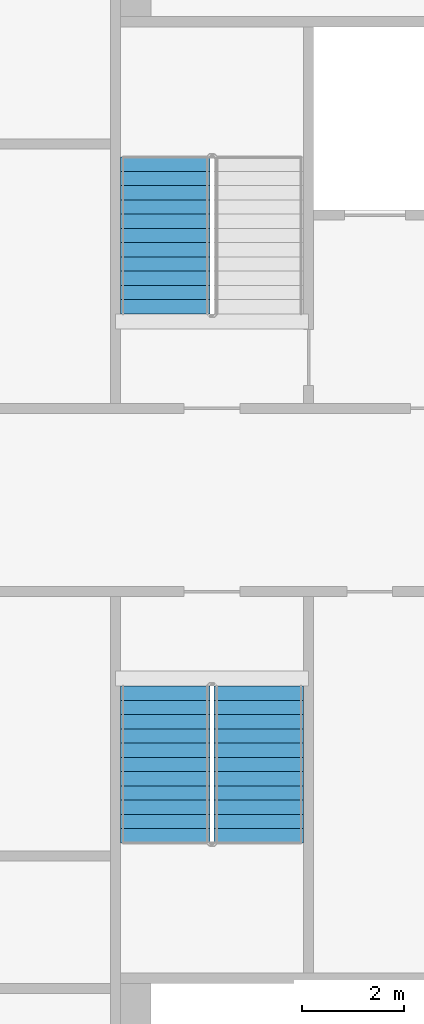
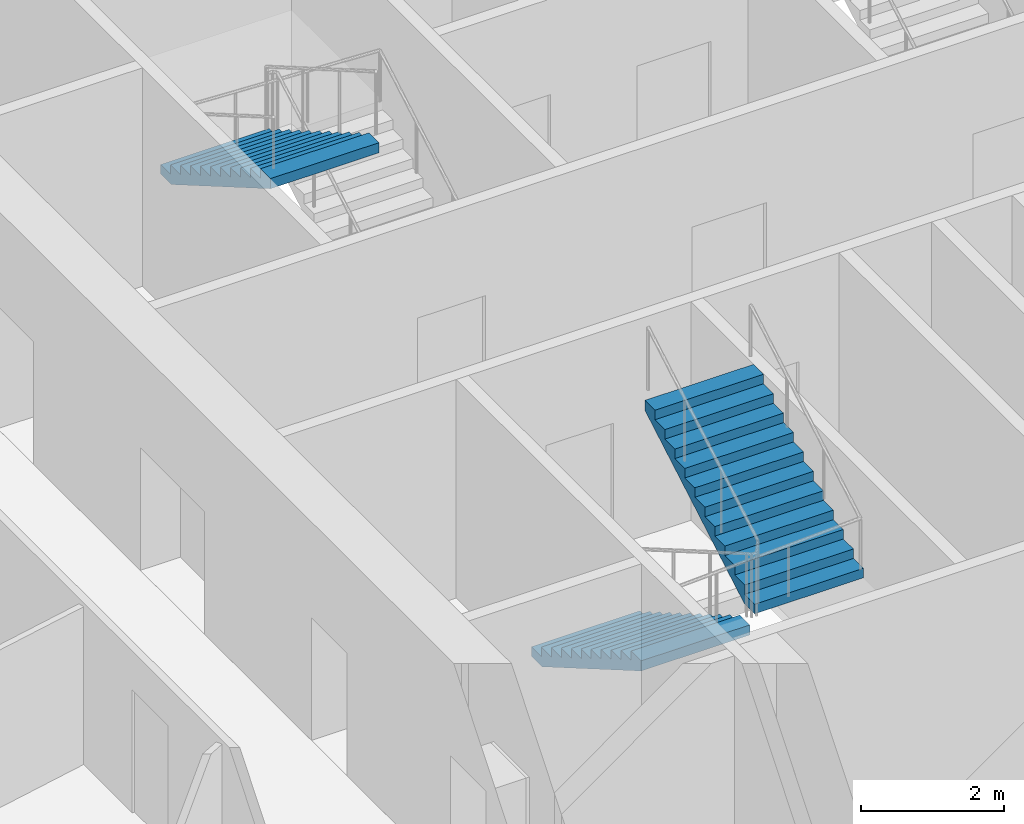
# One storey, part 17 of 24: 3 stair flights, 2 elements without a shape of their own.
"""IFC4 building model written with IfcOpenShell, lengths in metres."""

from ifc_helpers import new_model, si_unit, direction, frame, origin, place, context, subcontext, project, spatial, faceted_brep, material, type_object, element, aggregate, save


model = new_model("IFC4")

# Units and contexts
model_context = context("Model", 3, precision=1e-05, world=origin(), true_north=direction((0.0, 1.0)))
body_context = subcontext(model_context, "Body", "Model", "MODEL_VIEW")
ifc_project = project(units=[si_unit("LENGTHUNIT", "METRE"), si_unit("AREAUNIT", "SQUARE_METRE"), si_unit("VOLUMEUNIT", "CUBIC_METRE"), si_unit("PLANEANGLEUNIT", "RADIAN"), si_unit("MASSUNIT", "GRAM", prefix="KILO")], contexts=[model_context])

# Site, building, storey
site_placement = place(None, origin())
site = spatial("IfcSite", under=ifc_project, at=site_placement, CompositionType="ELEMENT")
building_placement = place(site_placement, origin())
building = spatial("IfcBuilding", under=site, at=building_placement, Name="Tarsis Ring Headquarters", CompositionType="ELEMENT")
storey_placement = place(building_placement, frame((0.0, 0.0, 178.800048828125)))
storey = spatial("IfcBuildingStorey", under=building, at=storey_placement, Name="L41", CompositionType="ELEMENT", Elevation=178.800048828125)

# Stair, stair flight
ifc_material_1 = material(Name="Core stair 1760")
stair_type = type_object("IfcStairType", Name="Core stair 1760", PredefinedType="HALF_TURN_STAIR", material=ifc_material_1)
stair_1_placement = place(storey_placement, origin())
stair_1 = element("IfcStair", 1, at=stair_1_placement, inside=storey, type_object=stair_type, Name="L41 Firefighting stair", PredefinedType="HALF_TURN_STAIR")
ifc_material_2 = material(Name="Concrete C40/50", Category="concrete")
stair_flight_type = type_object("IfcStairFlightType", Name="Core stair flight 1760", PredefinedType="STRAIGHT", material=ifc_material_2)
stair_flight_1_placement = place(storey_placement, frame((-5.419921875, 6.739990234375, 1.949951171875), z_axis=(0.0, 0.0, 1.0), x_axis=(0.0, -1.0, 0.0)))
stair_flight_1 = element("IfcStairFlight", 2, at=stair_flight_1_placement, type_object=stair_flight_type, Name="Stair ST1 flight 2", NumberOfRisers=12, NumberOfTreads=11, PredefinedType="STRAIGHT", RiserHeight=0.1625, TreadLength=0.28, context=body_context, shape_type="Brep", body=[
    faceted_brep([(0.0, 0.8798828125, 0.0), (0.0, 0.8798828125, 0.16259765625), (0.280029296875, 0.8798828125, 0.16259765625), (0.280029296875, 0.8798828125, 0.324951171875), (0.56005859375, 0.8798828125, 0.324951171875), (0.56005859375, 0.8798828125, 0.487548828125), (0.840087890625, 0.8798828125, 0.487548828125), (0.840087890625, 0.8798828125, 0.64990234375), (1.1201171875, 0.8798828125, 0.64990234375), (1.1201171875, 0.8798828125, 0.8125), (1.39990234375, 0.8798828125, 0.8125), (1.39990234375, 0.8798828125, 0.97509765625), (1.679931640625, 0.8798828125, 0.97509765625), (1.679931640625, 0.8798828125, 1.137451171875), (1.9599609375, 0.8798828125, 1.137451171875), (1.9599609375, 0.8798828125, 1.300048828125), (2.239990234375, 0.8798828125, 1.300048828125), (2.239990234375, 0.8798828125, 1.46240234375), (2.52001953125, 0.8798828125, 1.46240234375), (2.52001953125, 0.8798828125, 1.625), (2.800048828125, 0.8798828125, 1.625), (2.800048828125, 0.8798828125, 1.78759765625), (3.080078125, 0.8798828125, 1.78759765625), (3.080078125, 0.8798828125, 1.6142578125), (0.298583984375, 0.8798828125, 0.0), (0.298583984375, -0.8798828125, 0.0), (3.080078125, -0.8798828125, 1.6142578125), (3.080078125, -0.8798828125, 1.78759765625), (2.800048828125, -0.8798828125, 1.78759765625), (2.800048828125, -0.8798828125, 1.625), (2.52001953125, -0.8798828125, 1.625), (2.52001953125, -0.8798828125, 1.46240234375), (2.239990234375, -0.8798828125, 1.46240234375), (2.239990234375, -0.8798828125, 1.300048828125), (1.9599609375, -0.8798828125, 1.300048828125), (1.9599609375, -0.8798828125, 1.137451171875), (1.679931640625, -0.8798828125, 1.137451171875), (1.679931640625, -0.8798828125, 0.97509765625), (1.39990234375, -0.8798828125, 0.97509765625), (1.39990234375, -0.8798828125, 0.8125), (1.1201171875, -0.8798828125, 0.8125), (1.1201171875, -0.8798828125, 0.64990234375), (0.840087890625, -0.8798828125, 0.64990234375), (0.840087890625, -0.8798828125, 0.487548828125), (0.56005859375, -0.8798828125, 0.487548828125), (0.56005859375, -0.8798828125, 0.324951171875), (0.280029296875, -0.8798828125, 0.324951171875), (0.280029296875, -0.8798828125, 0.16259765625), (0.0, -0.8798828125, 0.16259765625), (0.0, -0.8798828125, 0.0), (0.0, -0.43994140625, 0.16259765625), (0.0, -0.43994140625, 0.0), (0.0, 0.0, 0.16259765625), (0.0, 0.0, 0.0), (0.0, 0.43994140625, 0.16259765625), (0.0, 0.43994140625, 0.0), (0.280029296875, -0.43994140625, 0.16259765625), (0.280029296875, 0.0, 0.16259765625), (0.280029296875, 0.43994140625, 0.16259765625), (0.280029296875, -0.43994140625, 0.324951171875), (0.280029296875, 0.0, 0.324951171875), (0.280029296875, 0.43994140625, 0.324951171875), (0.56005859375, -0.43994140625, 0.324951171875), (0.56005859375, 0.0, 0.324951171875), (0.56005859375, 0.43994140625, 0.324951171875), (0.56005859375, -0.43994140625, 0.487548828125), (0.56005859375, 0.0, 0.487548828125), (0.56005859375, 0.43994140625, 0.487548828125), (0.840087890625, -0.43994140625, 0.487548828125), (0.840087890625, 0.0, 0.487548828125), (0.840087890625, 0.43994140625, 0.487548828125), (0.840087890625, -0.43994140625, 0.64990234375), (0.840087890625, 0.0, 0.64990234375), (0.840087890625, 0.43994140625, 0.64990234375), (1.1201171875, -0.43994140625, 0.64990234375), (1.1201171875, 0.0, 0.64990234375), (1.1201171875, 0.43994140625, 0.64990234375), (1.1201171875, -0.43994140625, 0.8125), (1.1201171875, 0.0, 0.8125), (1.1201171875, 0.43994140625, 0.8125), (1.39990234375, -0.43994140625, 0.8125), (1.39990234375, 0.0, 0.8125), (1.39990234375, 0.43994140625, 0.8125), (1.39990234375, -0.43994140625, 0.97509765625), (1.39990234375, 0.0, 0.97509765625), (1.39990234375, 0.43994140625, 0.97509765625), (1.679931640625, -0.43994140625, 0.97509765625), (1.679931640625, 0.0, 0.97509765625), (1.679931640625, 0.43994140625, 0.97509765625), (1.679931640625, -0.43994140625, 1.137451171875), (1.679931640625, 0.0, 1.137451171875), (1.679931640625, 0.43994140625, 1.137451171875), (1.9599609375, -0.43994140625, 1.137451171875), (1.9599609375, 0.0, 1.137451171875), (1.9599609375, 0.43994140625, 1.137451171875), (1.9599609375, -0.43994140625, 1.300048828125), (1.9599609375, 0.0, 1.300048828125), (1.9599609375, 0.43994140625, 1.300048828125), (2.239990234375, -0.43994140625, 1.300048828125), (2.239990234375, 0.0, 1.300048828125), (2.239990234375, 0.43994140625, 1.300048828125), (2.239990234375, -0.43994140625, 1.46240234375), (2.239990234375, 0.0, 1.46240234375), (2.239990234375, 0.43994140625, 1.46240234375), (2.52001953125, -0.43994140625, 1.46240234375), (2.52001953125, 0.0, 1.46240234375), (2.52001953125, 0.43994140625, 1.46240234375), (2.52001953125, -0.43994140625, 1.625), (2.52001953125, 0.0, 1.625), (2.52001953125, 0.43994140625, 1.625), (2.800048828125, -0.43994140625, 1.625), (2.800048828125, 0.0, 1.625), (2.800048828125, 0.43994140625, 1.625), (2.800048828125, -0.43994140625, 1.78759765625), (2.800048828125, 0.0, 1.78759765625), (2.800048828125, 0.43994140625, 1.78759765625), (3.080078125, -0.43994140625, 1.78759765625), (3.080078125, 0.0, 1.78759765625), (3.080078125, 0.43994140625, 1.78759765625), (3.080078125, -0.43994140625, 1.6142578125), (3.080078125, 0.0, 1.6142578125), (3.080078125, 0.43994140625, 1.6142578125), (0.298583984375, -0.43994140625, 0.0), (0.298583984375, 0.0, 0.0), (0.298583984375, 0.43994140625, 0.0)], [[[0, 1, 2, 3, 4, 5, 6, 7, 8, 9, 10, 11, 12, 13, 14, 15, 16, 17, 18, 19, 20, 21, 22, 23, 24]], [[25, 26, 27, 28, 29, 30, 31, 32, 33, 34, 35, 36, 37, 38, 39, 40, 41, 42, 43, 44, 45, 46, 47, 48, 49]], [[49, 48, 50, 51]], [[51, 50, 52, 53]], [[53, 52, 54, 55]], [[55, 54, 1, 0]], [[48, 47, 56, 50]], [[50, 56, 57, 52]], [[52, 57, 58, 54]], [[54, 58, 2, 1]], [[47, 46, 59, 56]], [[56, 59, 60, 57]], [[57, 60, 61, 58]], [[58, 61, 3, 2]], [[46, 45, 62, 59]], [[59, 62, 63, 60]], [[60, 63, 64, 61]], [[61, 64, 4, 3]], [[45, 44, 65, 62]], [[62, 65, 66, 63]], [[63, 66, 67, 64]], [[64, 67, 5, 4]], [[44, 43, 68, 65]], [[65, 68, 69, 66]], [[66, 69, 70, 67]], [[67, 70, 6, 5]], [[43, 42, 71, 68]], [[68, 71, 72, 69]], [[69, 72, 73, 70]], [[70, 73, 7, 6]], [[42, 41, 74, 71]], [[71, 74, 75, 72]], [[72, 75, 76, 73]], [[73, 76, 8, 7]], [[41, 40, 77, 74]], [[74, 77, 78, 75]], [[75, 78, 79, 76]], [[76, 79, 9, 8]], [[40, 39, 80, 77]], [[77, 80, 81, 78]], [[78, 81, 82, 79]], [[79, 82, 10, 9]], [[39, 38, 83, 80]], [[80, 83, 84, 81]], [[81, 84, 85, 82]], [[82, 85, 11, 10]], [[38, 37, 86, 83]], [[83, 86, 87, 84]], [[84, 87, 88, 85]], [[85, 88, 12, 11]], [[37, 36, 89, 86]], [[86, 89, 90, 87]], [[87, 90, 91, 88]], [[88, 91, 13, 12]], [[36, 35, 92, 89]], [[89, 92, 93, 90]], [[90, 93, 94, 91]], [[91, 94, 14, 13]], [[35, 34, 95, 92]], [[92, 95, 96, 93]], [[93, 96, 97, 94]], [[94, 97, 15, 14]], [[34, 33, 98, 95]], [[95, 98, 99, 96]], [[96, 99, 100, 97]], [[97, 100, 16, 15]], [[33, 32, 101, 98]], [[98, 101, 102, 99]], [[99, 102, 103, 100]], [[100, 103, 17, 16]], [[32, 31, 104, 101]], [[101, 104, 105, 102]], [[102, 105, 106, 103]], [[103, 106, 18, 17]], [[31, 30, 107, 104]], [[104, 107, 108, 105]], [[105, 108, 109, 106]], [[106, 109, 19, 18]], [[30, 29, 110, 107]], [[107, 110, 111, 108]], [[108, 111, 112, 109]], [[109, 112, 20, 19]], [[29, 28, 113, 110]], [[110, 113, 114, 111]], [[111, 114, 115, 112]], [[112, 115, 21, 20]], [[28, 27, 116, 113]], [[113, 116, 117, 114]], [[114, 117, 118, 115]], [[115, 118, 22, 21]], [[27, 26, 119, 116]], [[116, 119, 120, 117]], [[117, 120, 121, 118]], [[118, 121, 23, 22]], [[26, 25, 122, 119]], [[119, 122, 123, 120]], [[120, 123, 124, 121]], [[121, 124, 24, 23]], [[25, 49, 51, 122]], [[122, 51, 53, 123]], [[123, 53, 55, 124]], [[124, 55, 0, 24]]]),
])
aggregate(stair_1, [stair_flight_1])

# Stair, stair flights
stair_2_placement = place(storey_placement, origin())
stair_2 = element("IfcStair", 3, at=stair_2_placement, inside=storey, type_object=stair_type, Name="L41 Exit stair C", PredefinedType="HALF_TURN_STAIR")
stair_flight_2_placement = place(storey_placement, frame((-5.419921875, -3.659912109375, 0.0), z_axis=(0.0, 0.0, 1.0), x_axis=(0.0, -1.0, 0.0)))
stair_flight_2 = element("IfcStairFlight", 4, at=stair_flight_2_placement, type_object=stair_flight_type, Name="Stair ST3 flight 1", NumberOfRisers=12, NumberOfTreads=11, PredefinedType="STRAIGHT", RiserHeight=0.1625, TreadLength=0.28, context=body_context, shape_type="Brep", body=[
    faceted_brep([(0.0, 0.8798828125, 0.0), (0.0, 0.8798828125, 0.16259765625), (0.280029296875, 0.8798828125, 0.16259765625), (0.280029296875, 0.8798828125, 0.324951171875), (0.56005859375, 0.8798828125, 0.324951171875), (0.56005859375, 0.8798828125, 0.487548828125), (0.840087890625, 0.8798828125, 0.487548828125), (0.840087890625, 0.8798828125, 0.64990234375), (1.1201171875, 0.8798828125, 0.64990234375), (1.1201171875, 0.8798828125, 0.8125), (1.39990234375, 0.8798828125, 0.8125), (1.39990234375, 0.8798828125, 0.97509765625), (1.679931640625, 0.8798828125, 0.97509765625), (1.679931640625, 0.8798828125, 1.137451171875), (1.9599609375, 0.8798828125, 1.137451171875), (1.9599609375, 0.8798828125, 1.300048828125), (2.239990234375, 0.8798828125, 1.300048828125), (2.239990234375, 0.8798828125, 1.46240234375), (2.52001953125, 0.8798828125, 1.46240234375), (2.52001953125, 0.8798828125, 1.625), (2.800048828125, 0.8798828125, 1.625), (2.800048828125, 0.8798828125, 1.78759765625), (3.080078125, 0.8798828125, 1.78759765625), (3.080078125, 0.8798828125, 1.6142578125), (0.298583984375, 0.8798828125, 0.0), (0.298583984375, -0.8798828125, 0.0), (3.080078125, -0.8798828125, 1.6142578125), (3.080078125, -0.8798828125, 1.78759765625), (2.800048828125, -0.8798828125, 1.78759765625), (2.800048828125, -0.8798828125, 1.625), (2.52001953125, -0.8798828125, 1.625), (2.52001953125, -0.8798828125, 1.46240234375), (2.239990234375, -0.8798828125, 1.46240234375), (2.239990234375, -0.8798828125, 1.300048828125), (1.9599609375, -0.8798828125, 1.300048828125), (1.9599609375, -0.8798828125, 1.137451171875), (1.679931640625, -0.8798828125, 1.137451171875), (1.679931640625, -0.8798828125, 0.97509765625), (1.39990234375, -0.8798828125, 0.97509765625), (1.39990234375, -0.8798828125, 0.8125), (1.1201171875, -0.8798828125, 0.8125), (1.1201171875, -0.8798828125, 0.64990234375), (0.840087890625, -0.8798828125, 0.64990234375), (0.840087890625, -0.8798828125, 0.487548828125), (0.56005859375, -0.8798828125, 0.487548828125), (0.56005859375, -0.8798828125, 0.324951171875), (0.280029296875, -0.8798828125, 0.324951171875), (0.280029296875, -0.8798828125, 0.16259765625), (0.0, -0.8798828125, 0.16259765625), (0.0, -0.8798828125, 0.0), (0.0, -0.43994140625, 0.16259765625), (0.0, -0.43994140625, 0.0), (0.0, 0.0, 0.16259765625), (0.0, 0.0, 0.0), (0.0, 0.43994140625, 0.16259765625), (0.0, 0.43994140625, 0.0), (0.280029296875, -0.43994140625, 0.16259765625), (0.280029296875, 0.0, 0.16259765625), (0.280029296875, 0.43994140625, 0.16259765625), (0.280029296875, -0.43994140625, 0.324951171875), (0.280029296875, 0.0, 0.324951171875), (0.280029296875, 0.43994140625, 0.324951171875), (0.56005859375, -0.43994140625, 0.324951171875), (0.56005859375, 0.0, 0.324951171875), (0.56005859375, 0.43994140625, 0.324951171875), (0.56005859375, -0.43994140625, 0.487548828125), (0.56005859375, 0.0, 0.487548828125), (0.56005859375, 0.43994140625, 0.487548828125), (0.840087890625, -0.43994140625, 0.487548828125), (0.840087890625, 0.0, 0.487548828125), (0.840087890625, 0.43994140625, 0.487548828125), (0.840087890625, -0.43994140625, 0.64990234375), (0.840087890625, 0.0, 0.64990234375), (0.840087890625, 0.43994140625, 0.64990234375), (1.1201171875, -0.43994140625, 0.64990234375), (1.1201171875, 0.0, 0.64990234375), (1.1201171875, 0.43994140625, 0.64990234375), (1.1201171875, -0.43994140625, 0.8125), (1.1201171875, 0.0, 0.8125), (1.1201171875, 0.43994140625, 0.8125), (1.39990234375, -0.43994140625, 0.8125), (1.39990234375, 0.0, 0.8125), (1.39990234375, 0.43994140625, 0.8125), (1.39990234375, -0.43994140625, 0.97509765625), (1.39990234375, 0.0, 0.97509765625), (1.39990234375, 0.43994140625, 0.97509765625), (1.679931640625, -0.43994140625, 0.97509765625), (1.679931640625, 0.0, 0.97509765625), (1.679931640625, 0.43994140625, 0.97509765625), (1.679931640625, -0.43994140625, 1.137451171875), (1.679931640625, 0.0, 1.137451171875), (1.679931640625, 0.43994140625, 1.137451171875), (1.9599609375, -0.43994140625, 1.137451171875), (1.9599609375, 0.0, 1.137451171875), (1.9599609375, 0.43994140625, 1.137451171875), (1.9599609375, -0.43994140625, 1.300048828125), (1.9599609375, 0.0, 1.300048828125), (1.9599609375, 0.43994140625, 1.300048828125), (2.239990234375, -0.43994140625, 1.300048828125), (2.239990234375, 0.0, 1.300048828125), (2.239990234375, 0.43994140625, 1.300048828125), (2.239990234375, -0.43994140625, 1.46240234375), (2.239990234375, 0.0, 1.46240234375), (2.239990234375, 0.43994140625, 1.46240234375), (2.52001953125, -0.43994140625, 1.46240234375), (2.52001953125, 0.0, 1.46240234375), (2.52001953125, 0.43994140625, 1.46240234375), (2.52001953125, -0.43994140625, 1.625), (2.52001953125, 0.0, 1.625), (2.52001953125, 0.43994140625, 1.625), (2.800048828125, -0.43994140625, 1.625), (2.800048828125, 0.0, 1.625), (2.800048828125, 0.43994140625, 1.625), (2.800048828125, -0.43994140625, 1.78759765625), (2.800048828125, 0.0, 1.78759765625), (2.800048828125, 0.43994140625, 1.78759765625), (3.080078125, -0.43994140625, 1.78759765625), (3.080078125, 0.0, 1.78759765625), (3.080078125, 0.43994140625, 1.78759765625), (3.080078125, -0.43994140625, 1.6142578125), (3.080078125, 0.0, 1.6142578125), (3.080078125, 0.43994140625, 1.6142578125), (0.298583984375, -0.43994140625, 0.0), (0.298583984375, 0.0, 0.0), (0.298583984375, 0.43994140625, 0.0)], [[[0, 1, 2, 3, 4, 5, 6, 7, 8, 9, 10, 11, 12, 13, 14, 15, 16, 17, 18, 19, 20, 21, 22, 23, 24]], [[25, 26, 27, 28, 29, 30, 31, 32, 33, 34, 35, 36, 37, 38, 39, 40, 41, 42, 43, 44, 45, 46, 47, 48, 49]], [[49, 48, 50, 51]], [[51, 50, 52, 53]], [[53, 52, 54, 55]], [[55, 54, 1, 0]], [[48, 47, 56, 50]], [[50, 56, 57, 52]], [[52, 57, 58, 54]], [[54, 58, 2, 1]], [[47, 46, 59, 56]], [[56, 59, 60, 57]], [[57, 60, 61, 58]], [[58, 61, 3, 2]], [[46, 45, 62, 59]], [[59, 62, 63, 60]], [[60, 63, 64, 61]], [[61, 64, 4, 3]], [[45, 44, 65, 62]], [[62, 65, 66, 63]], [[63, 66, 67, 64]], [[64, 67, 5, 4]], [[44, 43, 68, 65]], [[65, 68, 69, 66]], [[66, 69, 70, 67]], [[67, 70, 6, 5]], [[43, 42, 71, 68]], [[68, 71, 72, 69]], [[69, 72, 73, 70]], [[70, 73, 7, 6]], [[42, 41, 74, 71]], [[71, 74, 75, 72]], [[72, 75, 76, 73]], [[73, 76, 8, 7]], [[41, 40, 77, 74]], [[74, 77, 78, 75]], [[75, 78, 79, 76]], [[76, 79, 9, 8]], [[40, 39, 80, 77]], [[77, 80, 81, 78]], [[78, 81, 82, 79]], [[79, 82, 10, 9]], [[39, 38, 83, 80]], [[80, 83, 84, 81]], [[81, 84, 85, 82]], [[82, 85, 11, 10]], [[38, 37, 86, 83]], [[83, 86, 87, 84]], [[84, 87, 88, 85]], [[85, 88, 12, 11]], [[37, 36, 89, 86]], [[86, 89, 90, 87]], [[87, 90, 91, 88]], [[88, 91, 13, 12]], [[36, 35, 92, 89]], [[89, 92, 93, 90]], [[90, 93, 94, 91]], [[91, 94, 14, 13]], [[35, 34, 95, 92]], [[92, 95, 96, 93]], [[93, 96, 97, 94]], [[94, 97, 15, 14]], [[34, 33, 98, 95]], [[95, 98, 99, 96]], [[96, 99, 100, 97]], [[97, 100, 16, 15]], [[33, 32, 101, 98]], [[98, 101, 102, 99]], [[99, 102, 103, 100]], [[100, 103, 17, 16]], [[32, 31, 104, 101]], [[101, 104, 105, 102]], [[102, 105, 106, 103]], [[103, 106, 18, 17]], [[31, 30, 107, 104]], [[104, 107, 108, 105]], [[105, 108, 109, 106]], [[106, 109, 19, 18]], [[30, 29, 110, 107]], [[107, 110, 111, 108]], [[108, 111, 112, 109]], [[109, 112, 20, 19]], [[29, 28, 113, 110]], [[110, 113, 114, 111]], [[111, 114, 115, 112]], [[112, 115, 21, 20]], [[28, 27, 116, 113]], [[113, 116, 117, 114]], [[114, 117, 118, 115]], [[115, 118, 22, 21]], [[27, 26, 119, 116]], [[116, 119, 120, 117]], [[117, 120, 121, 118]], [[118, 121, 23, 22]], [[26, 25, 122, 119]], [[119, 122, 123, 120]], [[120, 123, 124, 121]], [[121, 124, 24, 23]], [[25, 49, 51, 122]], [[122, 51, 53, 123]], [[123, 53, 55, 124]], [[124, 55, 0, 24]]]),
])
stair_flight_3_placement = place(storey_placement, frame((-3.580078125, -6.739990234375, 1.949951171875), z_axis=(0.0, 0.0, 1.0), x_axis=(0.0, 1.0, 0.0)))
stair_flight_3 = element("IfcStairFlight", 5, at=stair_flight_3_placement, type_object=stair_flight_type, Name="Stair ST3 flight 2", NumberOfRisers=12, NumberOfTreads=11, PredefinedType="STRAIGHT", RiserHeight=0.1625, TreadLength=0.28, context=body_context, shape_type="Brep", body=[
    faceted_brep([(0.0, 0.8798828125, 0.0), (0.0, 0.8798828125, 0.16259765625), (0.280029296875, 0.8798828125, 0.16259765625), (0.280029296875, 0.8798828125, 0.324951171875), (0.56005859375, 0.8798828125, 0.324951171875), (0.56005859375, 0.8798828125, 0.487548828125), (0.840087890625, 0.8798828125, 0.487548828125), (0.840087890625, 0.8798828125, 0.64990234375), (1.1201171875, 0.8798828125, 0.64990234375), (1.1201171875, 0.8798828125, 0.8125), (1.39990234375, 0.8798828125, 0.8125), (1.39990234375, 0.8798828125, 0.97509765625), (1.679931640625, 0.8798828125, 0.97509765625), (1.679931640625, 0.8798828125, 1.137451171875), (1.9599609375, 0.8798828125, 1.137451171875), (1.9599609375, 0.8798828125, 1.300048828125), (2.239990234375, 0.8798828125, 1.300048828125), (2.239990234375, 0.8798828125, 1.46240234375), (2.52001953125, 0.8798828125, 1.46240234375), (2.52001953125, 0.8798828125, 1.625), (2.800048828125, 0.8798828125, 1.625), (2.800048828125, 0.8798828125, 1.78759765625), (3.080078125, 0.8798828125, 1.78759765625), (3.080078125, 0.8798828125, 1.6142578125), (0.298583984375, 0.8798828125, 0.0), (0.298583984375, -0.8798828125, 0.0), (3.080078125, -0.8798828125, 1.6142578125), (3.080078125, -0.8798828125, 1.78759765625), (2.800048828125, -0.8798828125, 1.78759765625), (2.800048828125, -0.8798828125, 1.625), (2.52001953125, -0.8798828125, 1.625), (2.52001953125, -0.8798828125, 1.46240234375), (2.239990234375, -0.8798828125, 1.46240234375), (2.239990234375, -0.8798828125, 1.300048828125), (1.9599609375, -0.8798828125, 1.300048828125), (1.9599609375, -0.8798828125, 1.137451171875), (1.679931640625, -0.8798828125, 1.137451171875), (1.679931640625, -0.8798828125, 0.97509765625), (1.39990234375, -0.8798828125, 0.97509765625), (1.39990234375, -0.8798828125, 0.8125), (1.1201171875, -0.8798828125, 0.8125), (1.1201171875, -0.8798828125, 0.64990234375), (0.840087890625, -0.8798828125, 0.64990234375), (0.840087890625, -0.8798828125, 0.487548828125), (0.56005859375, -0.8798828125, 0.487548828125), (0.56005859375, -0.8798828125, 0.324951171875), (0.280029296875, -0.8798828125, 0.324951171875), (0.280029296875, -0.8798828125, 0.16259765625), (0.0, -0.8798828125, 0.16259765625), (0.0, -0.8798828125, 0.0), (0.0, -0.43994140625, 0.16259765625), (0.0, -0.43994140625, 0.0), (0.0, 0.0, 0.16259765625), (0.0, 0.0, 0.0), (0.0, 0.43994140625, 0.16259765625), (0.0, 0.43994140625, 0.0), (0.280029296875, -0.43994140625, 0.16259765625), (0.280029296875, 0.0, 0.16259765625), (0.280029296875, 0.43994140625, 0.16259765625), (0.280029296875, -0.43994140625, 0.324951171875), (0.280029296875, 0.0, 0.324951171875), (0.280029296875, 0.43994140625, 0.324951171875), (0.56005859375, -0.43994140625, 0.324951171875), (0.56005859375, 0.0, 0.324951171875), (0.56005859375, 0.43994140625, 0.324951171875), (0.56005859375, -0.43994140625, 0.487548828125), (0.56005859375, 0.0, 0.487548828125), (0.56005859375, 0.43994140625, 0.487548828125), (0.840087890625, -0.43994140625, 0.487548828125), (0.840087890625, 0.0, 0.487548828125), (0.840087890625, 0.43994140625, 0.487548828125), (0.840087890625, -0.43994140625, 0.64990234375), (0.840087890625, 0.0, 0.64990234375), (0.840087890625, 0.43994140625, 0.64990234375), (1.1201171875, -0.43994140625, 0.64990234375), (1.1201171875, 0.0, 0.64990234375), (1.1201171875, 0.43994140625, 0.64990234375), (1.1201171875, -0.43994140625, 0.8125), (1.1201171875, 0.0, 0.8125), (1.1201171875, 0.43994140625, 0.8125), (1.39990234375, -0.43994140625, 0.8125), (1.39990234375, 0.0, 0.8125), (1.39990234375, 0.43994140625, 0.8125), (1.39990234375, -0.43994140625, 0.97509765625), (1.39990234375, 0.0, 0.97509765625), (1.39990234375, 0.43994140625, 0.97509765625), (1.679931640625, -0.43994140625, 0.97509765625), (1.679931640625, 0.0, 0.97509765625), (1.679931640625, 0.43994140625, 0.97509765625), (1.679931640625, -0.43994140625, 1.137451171875), (1.679931640625, 0.0, 1.137451171875), (1.679931640625, 0.43994140625, 1.137451171875), (1.9599609375, -0.43994140625, 1.137451171875), (1.9599609375, 0.0, 1.137451171875), (1.9599609375, 0.43994140625, 1.137451171875), (1.9599609375, -0.43994140625, 1.300048828125), (1.9599609375, 0.0, 1.300048828125), (1.9599609375, 0.43994140625, 1.300048828125), (2.239990234375, -0.43994140625, 1.300048828125), (2.239990234375, 0.0, 1.300048828125), (2.239990234375, 0.43994140625, 1.300048828125), (2.239990234375, -0.43994140625, 1.46240234375), (2.239990234375, 0.0, 1.46240234375), (2.239990234375, 0.43994140625, 1.46240234375), (2.52001953125, -0.43994140625, 1.46240234375), (2.52001953125, 0.0, 1.46240234375), (2.52001953125, 0.43994140625, 1.46240234375), (2.52001953125, -0.43994140625, 1.625), (2.52001953125, 0.0, 1.625), (2.52001953125, 0.43994140625, 1.625), (2.800048828125, -0.43994140625, 1.625), (2.800048828125, 0.0, 1.625), (2.800048828125, 0.43994140625, 1.625), (2.800048828125, -0.43994140625, 1.78759765625), (2.800048828125, 0.0, 1.78759765625), (2.800048828125, 0.43994140625, 1.78759765625), (3.080078125, -0.43994140625, 1.78759765625), (3.080078125, 0.0, 1.78759765625), (3.080078125, 0.43994140625, 1.78759765625), (3.080078125, -0.43994140625, 1.6142578125), (3.080078125, 0.0, 1.6142578125), (3.080078125, 0.43994140625, 1.6142578125), (0.298583984375, -0.43994140625, 0.0), (0.298583984375, 0.0, 0.0), (0.298583984375, 0.43994140625, 0.0)], [[[0, 1, 2, 3, 4, 5, 6, 7, 8, 9, 10, 11, 12, 13, 14, 15, 16, 17, 18, 19, 20, 21, 22, 23, 24]], [[25, 26, 27, 28, 29, 30, 31, 32, 33, 34, 35, 36, 37, 38, 39, 40, 41, 42, 43, 44, 45, 46, 47, 48, 49]], [[49, 48, 50, 51]], [[51, 50, 52, 53]], [[53, 52, 54, 55]], [[55, 54, 1, 0]], [[48, 47, 56, 50]], [[50, 56, 57, 52]], [[52, 57, 58, 54]], [[54, 58, 2, 1]], [[47, 46, 59, 56]], [[56, 59, 60, 57]], [[57, 60, 61, 58]], [[58, 61, 3, 2]], [[46, 45, 62, 59]], [[59, 62, 63, 60]], [[60, 63, 64, 61]], [[61, 64, 4, 3]], [[45, 44, 65, 62]], [[62, 65, 66, 63]], [[63, 66, 67, 64]], [[64, 67, 5, 4]], [[44, 43, 68, 65]], [[65, 68, 69, 66]], [[66, 69, 70, 67]], [[67, 70, 6, 5]], [[43, 42, 71, 68]], [[68, 71, 72, 69]], [[69, 72, 73, 70]], [[70, 73, 7, 6]], [[42, 41, 74, 71]], [[71, 74, 75, 72]], [[72, 75, 76, 73]], [[73, 76, 8, 7]], [[41, 40, 77, 74]], [[74, 77, 78, 75]], [[75, 78, 79, 76]], [[76, 79, 9, 8]], [[40, 39, 80, 77]], [[77, 80, 81, 78]], [[78, 81, 82, 79]], [[79, 82, 10, 9]], [[39, 38, 83, 80]], [[80, 83, 84, 81]], [[81, 84, 85, 82]], [[82, 85, 11, 10]], [[38, 37, 86, 83]], [[83, 86, 87, 84]], [[84, 87, 88, 85]], [[85, 88, 12, 11]], [[37, 36, 89, 86]], [[86, 89, 90, 87]], [[87, 90, 91, 88]], [[88, 91, 13, 12]], [[36, 35, 92, 89]], [[89, 92, 93, 90]], [[90, 93, 94, 91]], [[91, 94, 14, 13]], [[35, 34, 95, 92]], [[92, 95, 96, 93]], [[93, 96, 97, 94]], [[94, 97, 15, 14]], [[34, 33, 98, 95]], [[95, 98, 99, 96]], [[96, 99, 100, 97]], [[97, 100, 16, 15]], [[33, 32, 101, 98]], [[98, 101, 102, 99]], [[99, 102, 103, 100]], [[100, 103, 17, 16]], [[32, 31, 104, 101]], [[101, 104, 105, 102]], [[102, 105, 106, 103]], [[103, 106, 18, 17]], [[31, 30, 107, 104]], [[104, 107, 108, 105]], [[105, 108, 109, 106]], [[106, 109, 19, 18]], [[30, 29, 110, 107]], [[107, 110, 111, 108]], [[108, 111, 112, 109]], [[109, 112, 20, 19]], [[29, 28, 113, 110]], [[110, 113, 114, 111]], [[111, 114, 115, 112]], [[112, 115, 21, 20]], [[28, 27, 116, 113]], [[113, 116, 117, 114]], [[114, 117, 118, 115]], [[115, 118, 22, 21]], [[27, 26, 119, 116]], [[116, 119, 120, 117]], [[117, 120, 121, 118]], [[118, 121, 23, 22]], [[26, 25, 122, 119]], [[119, 122, 123, 120]], [[120, 123, 124, 121]], [[121, 124, 24, 23]], [[25, 49, 51, 122]], [[122, 51, 53, 123]], [[123, 53, 55, 124]], [[124, 55, 0, 24]]]),
])
aggregate(stair_2, [stair_flight_2, stair_flight_3])

save(model, "model.ifc")
